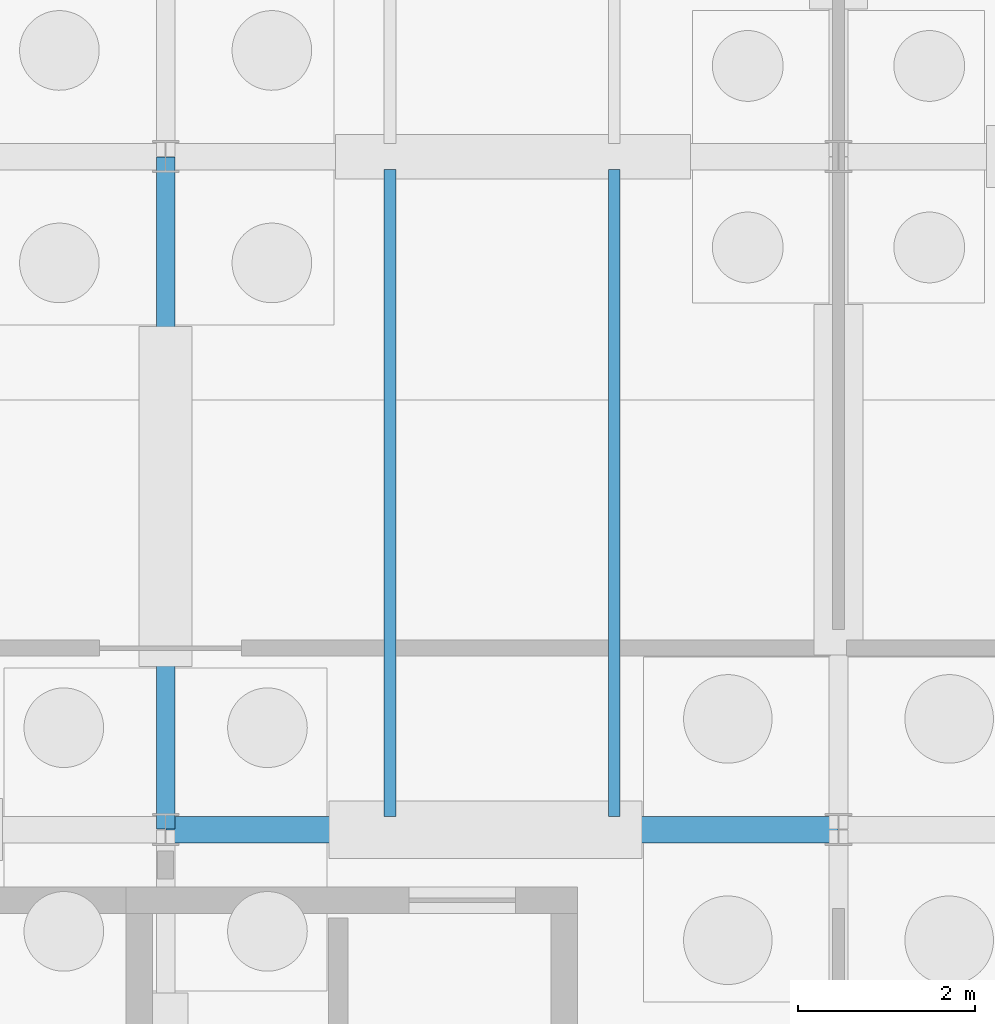
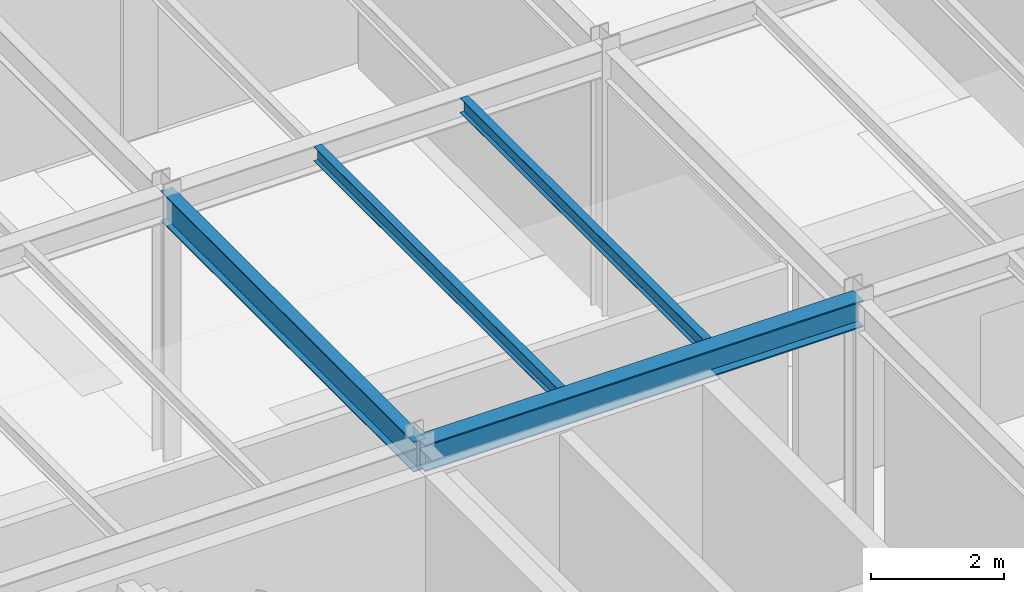
# One storey, part 31 of 109: 4 beams.
"""IFC4 building model written with IfcOpenShell, lengths in metres."""

from ifc_helpers import new_model, si_unit, direction, frame, origin, origin_2d, place, context, subcontext, project, spatial, i_section, extrude, material, material_profile, profile_set, type_object, element, save


model = new_model("IFC4")

# Units and contexts
model_context = context("Model", 3, precision=1e-05, world=origin(), true_north=direction((0.0, 1.0)))
body_context = subcontext(model_context, "Body", "Model", "MODEL_VIEW")
ifc_project = project(units=[si_unit("LENGTHUNIT", "METRE"), si_unit("AREAUNIT", "SQUARE_METRE"), si_unit("VOLUMEUNIT", "CUBIC_METRE"), si_unit("PLANEANGLEUNIT", "RADIAN"), si_unit("MASSUNIT", "GRAM", prefix="KILO")], contexts=[model_context])

# Site, building, storey
site_placement = place(None, origin())
site = spatial("IfcSite", under=ifc_project, at=site_placement, CompositionType="ELEMENT")
building_placement = place(site_placement, origin())
building = spatial("IfcBuilding", under=site, at=building_placement, Name="Montecoro Central Library", CompositionType="ELEMENT")
storey_placement = place(building_placement, origin())
storey = spatial("IfcBuildingStorey", under=building, at=storey_placement, Name="L00", CompositionType="ELEMENT", Elevation=0.0)

# Beams
ifc_material_1 = material(Name="Steel S355J2", Category="steel")
ifc_material_profile_1 = material_profile(ifc_material_1, i_section(OverallWidth=0.300048828125, OverallDepth=0.489990234375, WebThickness=0.011962890625, FlangeThickness=0.02294921875, at=origin_2d()), Name="HEA 500")
ifc_profile_set_1 = profile_set([ifc_material_profile_1], Name="Steel S355J2")
beam_type_1 = type_object("IfcBeamType", Name="BM-G-HEA500", PredefinedType="USERDEFINED", material=ifc_profile_set_1)
beam_1_placement = place(storey_placement, frame((12.60498046875, 20.199951171875, 4.60009765625), z_axis=(1.0, 0.0, 0.0), x_axis=(0.0, 1.0, 0.0)))
element("IfcBeam", 1, at=beam_1_placement, inside=storey, type_object=beam_type_1, Name="V3-L00-BX-23-C", ObjectType="GIRDER", PredefinedType="USERDEFINED", context=body_context, shape_type="SweptSolid", body=[
    extrude(i_section(OverallWidth=0.300048828125, OverallDepth=0.489990234375, WebThickness=0.011962890625, FlangeThickness=0.02294921875, at=origin_2d()), origin(), (0.0, 0.0, 1.0), 7.590087890625),
])
ifc_material_profile_2 = material_profile(ifc_material_1, i_section(OverallWidth=0.2099609375, OverallDepth=0.550048828125, WebThickness=0.010986328125, FlangeThickness=0.01708984375, at=origin_2d()), Name="IPE 550")
ifc_profile_set_2 = profile_set([ifc_material_profile_2], Name="Steel S355J2")
beam_type_2 = type_object("IfcBeamType", Name="BM-G-IPE550", PredefinedType="USERDEFINED", material=ifc_profile_set_2)
beam_2_placement = place(storey_placement, frame((12.60009765625, 20.205078125, 4.570068359375), z_axis=(0.0, 1.0, 0.0), x_axis=(-1.0, 0.0, 0.0)))
element("IfcBeam", 2, at=beam_2_placement, inside=storey, type_object=beam_type_2, Name="V3-L00-BY-2-CD", ObjectType="GIRDER", PredefinedType="USERDEFINED", context=body_context, shape_type="SweptSolid", body=[
    extrude(i_section(OverallWidth=0.2099609375, OverallDepth=0.550048828125, WebThickness=0.010986328125, FlangeThickness=0.01708984375, at=origin_2d()), origin(), (0.0, 0.0, 1.0), 7.58984375),
])
ifc_material_2 = material(Name="Steel S355", Category="steel")
ifc_material_profile_3 = material_profile(ifc_material_2, i_section(OverallWidth=0.135009765625, OverallDepth=0.27001953125, WebThickness=0.006591796875, FlangeThickness=0.01025390625, at=origin_2d()), Name="IPE 270")
ifc_profile_set_3 = profile_set([ifc_material_profile_3], Name="Steel S355")
beam_type_3 = type_object("IfcBeamType", Name="BM-J-IPE270", PredefinedType="JOIST", material=ifc_profile_set_3)
for number, where, z_axis, x_axis, name in (
    (3, (15.133056640625, 20.346923828125, 4.7099609375), (0.0, 1.0, 0.0), (-1.0, 0.0, 0.0), "V3-L00-JS-23-CD-1"),
    (4, (17.6669921875, 20.346923828125, 4.7099609375), (0.0, 1.0, 0.0), (-1.0, 0.0, 0.0), "V3-L00-JS-23-CD-2"),
):
    element("IfcBeam", number, at=place(storey_placement, frame(where, z_axis=z_axis, x_axis=x_axis)), inside=storey, type_object=beam_type_3, Name=name, PredefinedType="JOIST", context=body_context, shape_type="SweptSolid", body=[
        extrude(i_section(OverallWidth=0.135009765625, OverallDepth=0.27001953125, WebThickness=0.006591796875, FlangeThickness=0.01025390625, at=origin_2d()), origin(), (0.0, 0.0, 1.0), 7.30615234375),
    ])

save(model, "model.ifc")
